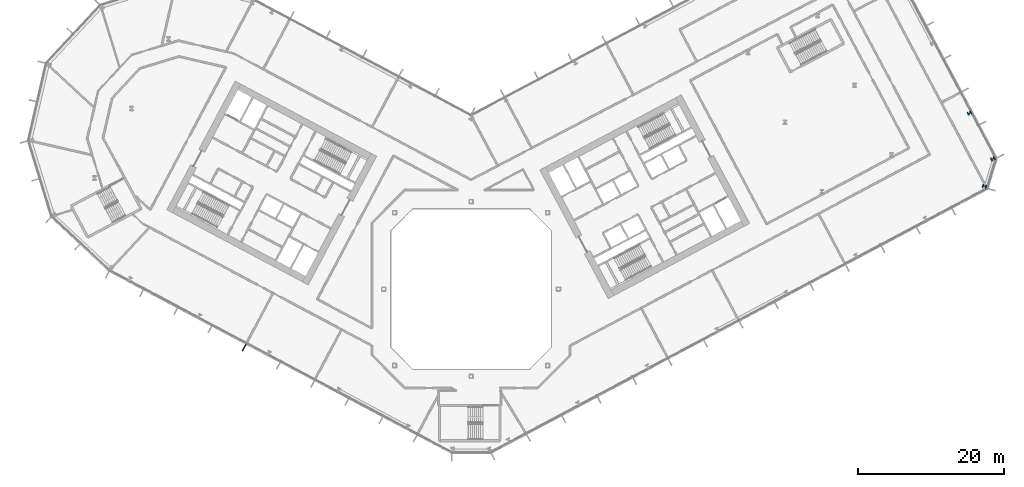
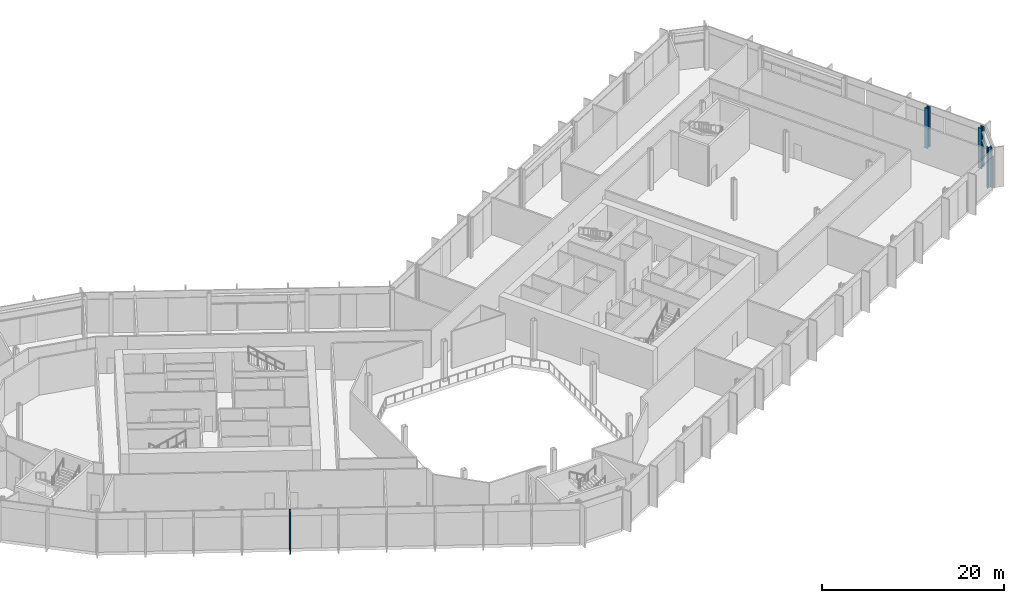
# One storey, part 5 of 31: 3 columns, 1 member, 1 element without a shape of its own.
"""IFC4 building model written with IfcOpenShell, lengths in metres."""

from ifc_helpers import new_model, si_unit, direction, frame, origin, origin_2d, place, context, subcontext, project, spatial, rectangle, i_section, extrude, material, layer, layer_set, material_profile, profile_set, type_object, element, aggregate, save


model = new_model("IFC4")

# Units and contexts
model_context = context("Model", 3, precision=1e-05, world=origin(), true_north=direction((0.0, 1.0)))
body_context = subcontext(model_context, "Body", "Model", "MODEL_VIEW")
ifc_project = project(units=[si_unit("LENGTHUNIT", "METRE"), si_unit("AREAUNIT", "SQUARE_METRE"), si_unit("VOLUMEUNIT", "CUBIC_METRE"), si_unit("PLANEANGLEUNIT", "RADIAN"), si_unit("MASSUNIT", "GRAM", prefix="KILO")], contexts=[model_context])

# Site, building, storey
site_placement = place(None, origin())
site = spatial("IfcSite", under=ifc_project, at=site_placement, CompositionType="ELEMENT")
building_placement = place(site_placement, origin())
building = spatial("IfcBuilding", under=site, at=building_placement, Name="Cormorant Relay Tower", CompositionType="ELEMENT")
storey_placement = place(building_placement, frame((0.0, 0.0, 12.199951171875)))
storey = spatial("IfcBuildingStorey", under=building, at=storey_placement, Name="L02", CompositionType="ELEMENT", Elevation=12.199951171875)

# Columns
ifc_material_1 = material(Name="Steel ASTM A992 (Fy 345 MPa)", Category="steel")
ifc_material_profile_1 = material_profile(ifc_material_1, i_section(OverallWidth=0.45458984375, OverallDepth=0.569091796875, WebThickness=0.077880859375, FlangeThickness=0.124755859375, FilletRadius=0.015380859375, at=origin_2d()), Name="W360x1086")
ifc_profile_set_1 = profile_set([ifc_material_profile_1], Name="Steel ASTM A992 (Fy 345 MPa)")
column_type_1 = type_object("IfcColumnType", Name="Column W360x1086", PredefinedType="COLUMN", material=ifc_profile_set_1)
for number, where, z_axis, x_axis, name in (
    (1, (70.47412109375, 14.10595703125, 0.0), (0.0, 0.0, 1.0), (0.292371704723, 0.956304755963, 0.0), "Column L02-026"),
    (2, (71.625, 17.87109375, 0.0), (0.0, 0.0, 1.0), (-0.469471562786, 0.882947592859, 0.0), "Column L02-028"),
):
    element("IfcColumn", number, at=place(storey_placement, frame(where, z_axis=z_axis, x_axis=x_axis)), inside=storey, type_object=column_type_1, Name=name, PredefinedType="COLUMN", context=body_context, shape_type="SweptSolid", body=[
        extrude(i_section(OverallWidth=0.45458984375, OverallDepth=0.569091796875, WebThickness=0.077880859375, FlangeThickness=0.124755859375, FilletRadius=0.015380859375, at=origin_2d()), origin(), (0.0, 0.0, 1.0), 5.400146484375),
    ])
ifc_material_2 = material(Name="Steel ASTM A992 (Fy 345 MPa)", Category="steel")
ifc_material_profile_2 = material_profile(ifc_material_2, i_section(OverallWidth=0.43701171875, OverallDepth=0.51318359375, WebThickness=0.060546875, FlangeThickness=0.096923828125, FilletRadius=0.015380859375, at=origin_2d()), Name="W360x818")
ifc_profile_set_2 = profile_set([ifc_material_profile_2], Name="Steel ASTM A992 (Fy 345 MPa)")
column_type_2 = type_object("IfcColumnType", Name="Column W360x818", PredefinedType="COLUMN", material=ifc_profile_set_2)
column_placement = place(storey_placement, frame((68.4130859375, 24.14404296875, 0.0), z_axis=(0.0, 0.0, 1.0), x_axis=(-0.469471562786, 0.882947592859, 0.0)))
element("IfcColumn", 3, at=column_placement, inside=storey, type_object=column_type_2, Name="Column L02-033", PredefinedType="COLUMN", context=body_context, shape_type="SweptSolid", body=[
    extrude(i_section(OverallWidth=0.43701171875, OverallDepth=0.51318359375, WebThickness=0.060546875, FlangeThickness=0.096923828125, FilletRadius=0.015380859375, at=origin_2d()), origin(), (0.0, 0.0, 1.0), 5.400146484375),
])

# Curtain wall, member
ifc_material_3 = material(Name="Aluminium 6063-T6 anodised bronze", Category="aluminium")
ifc_layer = layer(ifc_material_3, 0.235107421875)
ifc_layer_set = layer_set([ifc_layer], Name="CW6 data hall curtain wall with mineral wool panels")
curtain_wall_type = type_object("IfcCurtainWallType", Name="CW6 data hall curtain wall with mineral wool panels", PredefinedType="NOTDEFINED", material=ifc_layer_set)
curtain_wall_placement = place(storey_placement, origin())
curtain_wall = element("IfcCurtainWall", 4, at=curtain_wall_placement, inside=storey, type_object=curtain_wall_type, Name="CW6 curtain wall 14", PredefinedType="NOTDEFINED")
ifc_material_4 = material(Name="Aluminium 6063-T6 anodised bronze", Category="aluminium")
ifc_material_profile_3 = material_profile(ifc_material_4, rectangle(XDim=0.14990234375, YDim=1.0, at=origin_2d()), Name="AL 150x1000")
ifc_profile_set_3 = profile_set([ifc_material_profile_3], Name="Aluminium 6063-T6 anodised bronze")
member_type = type_object("IfcMemberType", Name="CW6 bronze fin mullion 150 x 1000", PredefinedType="MULLION", material=ifc_profile_set_3)
member_placement = place(storey_placement, frame((-31.159423828125, -8.048583984375, 0.0), z_axis=(0.0, 0.0, 1.0), x_axis=(0.882947592859, -0.469471562786, 0.0)))
member = element("IfcMember", 5, at=member_placement, type_object=member_type, Name="CW6 fin 14.5", PredefinedType="MULLION", context=body_context, shape_type="SweptSolid", body=[
    extrude(rectangle(XDim=0.14990234375, YDim=1.0, at=origin_2d()), origin(), (0.0, 0.0, 1.0), 5.400146484375),
])
aggregate(curtain_wall, [member])

save(model, "model.ifc")
